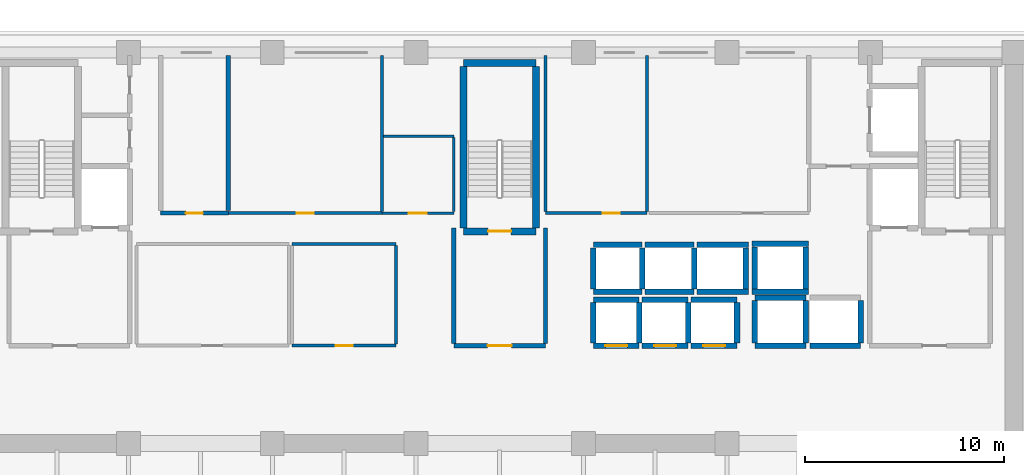
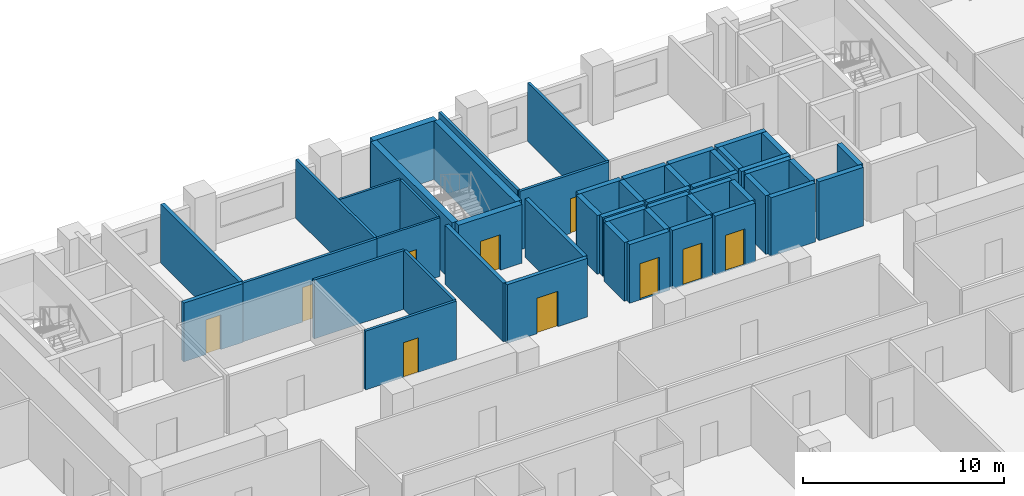
# One storey, part 7 of 15: 50 walls, 10 doors, 10 openings.
"""IFC4 building model written with IfcOpenShell, lengths in metres."""

import ifcopenshell
import ifcopenshell.guid

model = None  # the IFC model being written
_history = None  # IfcOwnerHistory: only IFC2X3 demands one
_inside = {}  # id of a spatial element -> (the spatial element, [elements in it])
_under = {}  # id of a project, library or spatial element -> (it, [spatial elements below it])
_declared = {}  # id of a project -> (the project, [libraries it declares])
_typed = {}  # id of a type object -> (the type object, [elements of that type])
_made_of = {}  # id of a material, layer set ... -> (it, [elements and type objects made of it])


def new_model(schema):
    """Start an empty IFC model of exactly this schema.

    Asked for "IFC4X3", IfcOpenShell would pick the latest addendum, in which some entities
    have other attributes; the version numbers below select the first issue.
    IFC2X3 requires an IfcOwnerHistory on every rooted entity: one is made here for all.
    """
    global model, _history
    if schema == "IFC4X3":
        model = ifcopenshell.file(schema_version=(4, 3, 0, 0))
    else:
        model = ifcopenshell.file(schema=schema)
    _inside.clear()
    _under.clear()
    _declared.clear()
    _typed.clear()
    _made_of.clear()
    _history = None
    if model.schema == "IFC2X3":
        org = make("IfcOrganization", Name="unknown")
        user = make(
            "IfcPersonAndOrganization",
            ThePerson=make("IfcPerson", FamilyName="unknown"),
            TheOrganization=org,
        )
        app = make(
            "IfcApplication",
            ApplicationDeveloper=org,
            Version="unknown",
            ApplicationFullName="unknown",
            ApplicationIdentifier="unknown",
        )
        _history = make(
            "IfcOwnerHistory",
            OwningUser=user,
            OwningApplication=app,
            ChangeAction="ADDED",
            CreationDate=0,
        )
    return model


def make(cls, **values):
    """One entity of the class cls with the attributes given. An attribute that is None is left unset."""
    return model.create_entity(
        cls, **{name: value for name, value in values.items() if value is not None}
    )


def rooted(cls, **values):
    """An entity with a GlobalId (a new one), such as an element, a storey or a relation."""
    return make(cls, GlobalId=ifcopenshell.guid.new(), OwnerHistory=_history, **values)


def si_unit(unit_type, name, prefix=None):
    """IfcSIUnit, for example si_unit("LENGTHUNIT", "METRE", prefix="MILLI")."""
    return make("IfcSIUnit", UnitType=unit_type, Prefix=prefix, Name=name)


def assignment(units):
    """IfcUnitAssignment: the units of a project."""
    return None if units is None else make("IfcUnitAssignment", Units=units)


def point(xyz):
    """IfcCartesianPoint."""
    return None if xyz is None else make("IfcCartesianPoint", Coordinates=xyz)


def direction(xyz):
    """IfcDirection."""
    return None if xyz is None else make("IfcDirection", DirectionRatios=xyz)


def frame(location, z_axis=None, x_axis=None):
    """IfcAxis2Placement3D, a coordinate frame: its origin and axes. An axis left out is left unset."""
    return make(
        "IfcAxis2Placement3D",
        Location=point(location),
        Axis=direction(z_axis),
        RefDirection=direction(x_axis),
    )


def frame_2d(location, x_axis=None):
    """IfcAxis2Placement2D, a coordinate frame in the plane: its origin and x axis."""
    return make(
        "IfcAxis2Placement2D", Location=point(location), RefDirection=direction(x_axis)
    )


def origin():
    """The frame at (0, 0, 0) with its axes left unset."""
    return frame((0.0, 0.0, 0.0))


def place(relative_to, where):
    """IfcLocalPlacement: puts the frame where relative to a parent placement (None: the world)."""
    return make(
        "IfcLocalPlacement", PlacementRelTo=relative_to, RelativePlacement=where
    )


def context(
    kind, dimensions, precision=None, world=None, true_north=None, identifier=None
):
    """IfcGeometricRepresentationContext, for example the 3D "Model" context."""
    return make(
        "IfcGeometricRepresentationContext",
        ContextIdentifier=identifier,
        ContextType=kind,
        CoordinateSpaceDimension=dimensions,
        Precision=precision,
        WorldCoordinateSystem=world,
        TrueNorth=true_north,
    )


def subcontext(parent, identifier, kind, view, scale=None):
    """IfcGeometricRepresentationSubContext, for example "Body" below "Model"."""
    return make(
        "IfcGeometricRepresentationSubContext",
        ContextIdentifier=identifier,
        ContextType=kind,
        ParentContext=parent,
        TargetScale=scale,
        TargetView=view,
    )


def project(units=None, contexts=None):
    """IfcProject with its units and contexts."""
    return rooted(
        "IfcProject",
        Name="project",
        RepresentationContexts=contexts,
        UnitsInContext=assignment(units),
    )


def spatial(cls, under=None, at=None, **own):
    """A site, building, storey or space (cls), placed at a placement, below another one or the project."""
    s = rooted(cls, ObjectPlacement=at, **own)
    if under is not None:
        _under.setdefault(under.id(), (under, []))[1].append(s)
    return s


def profile(cls, at=None, kind="AREA", **sizes):
    """A parametric profile (cls). Its sizes go by their IFC names, for example OverallWidth=200.0."""
    return make(cls, ProfileType=kind, Position=at, **sizes)


def rectangle(**sizes):
    """IfcRectangleProfileDef."""
    return profile("IfcRectangleProfileDef", **sizes)


def extrude(swept, where, along, depth):
    """IfcExtrudedAreaSolid: the profile swept, set in the frame where, extruded along a direction by depth."""
    return make(
        "IfcExtrudedAreaSolid",
        SweptArea=swept,
        Position=where,
        ExtrudedDirection=direction(along),
        Depth=depth,
    )


def shape(context_of_items, identifier, shape_type, items):
    """IfcShapeRepresentation: the items that make up one representation, for example the "Body"."""
    return make(
        "IfcShapeRepresentation",
        ContextOfItems=context_of_items,
        RepresentationIdentifier=identifier,
        RepresentationType=shape_type,
        Items=items,
    )


def material(Name=None, Category=None):
    """IfcMaterial."""
    return make("IfcMaterial", Name=Name, Category=Category)


def layer(
    of_material, thickness, ventilated=None, Name=None, Category=None, Priority=None
):
    """IfcMaterialLayer: one layer of a wall or slab, of a material (None: an air gap)."""
    return make(
        "IfcMaterialLayer",
        Material=of_material,
        LayerThickness=thickness,
        IsVentilated=ventilated,
        Name=Name,
        Category=Category,
        Priority=Priority,
    )


def layer_set(layers, Name=None):
    """IfcMaterialLayerSet."""
    return make("IfcMaterialLayerSet", MaterialLayers=layers, LayerSetName=Name)


def made_of(thing, what):
    """Note that an element or type object is made of a material, layer set ...; save() writes the relation."""
    if what is not None:
        _made_of.setdefault(what.id(), (what, []))[1].append(thing)
    return thing


def type_object(cls, material=None, **own):
    """A type object (cls), such as IfcWallType, which elements share."""
    return made_of(rooted(cls, **own), material)


def element(
    cls,
    number,
    at=None,
    inside=None,
    cuts=None,
    type_object=None,
    material=None,
    context=None,
    identifier="Body",
    shape_type=None,
    held_by="IfcProductDefinitionShape",
    body=None,
    shapes=None,
    **own,
):
    """One element of the class cls, such as IfcWall. Its Tag is "e" and its number.

    at: its placement. inside: the storey or other place that contains it. cuts: it is an
    opening in that element (IfcRelVoidsElement). A single representation is given by context,
    identifier, shape_type and body (its items); several are given by shapes. held_by: the class
    of the entity that holds the representations. save() writes the other relations.
    """
    e = rooted(cls, Tag="e%d" % number, ObjectPlacement=at, **own)
    if body is not None:
        shapes = [shape(context, identifier, shape_type, body)]
    if shapes is not None:
        e.Representation = make(held_by, Representations=shapes)
    if inside is not None:
        _inside.setdefault(inside.id(), (inside, []))[1].append(e)
    if cuts is not None:
        rooted(
            "IfcRelVoidsElement", RelatingBuildingElement=cuts, RelatedOpeningElement=e
        )
    if type_object is not None:
        _typed.setdefault(type_object.id(), (type_object, []))[1].append(e)
    return made_of(e, material)


def fill(opening, filler):
    """IfcRelFillsElement: the door or window that sits in an opening."""
    return rooted(
        "IfcRelFillsElement",
        RelatingOpeningElement=opening,
        RelatedBuildingElement=filler,
    )


def aggregate(whole, parts):
    """IfcRelAggregates: a whole, such as a stair, and the parts it consists of."""
    return rooted("IfcRelAggregates", RelatingObject=whole, RelatedObjects=parts)


def save(model, path):
    """Write the relations noted so far, then the file.

    IfcRelAggregates (storeys below a building ...), IfcRelContainedInSpatialStructure (elements
    in a storey), IfcRelDefinesByType, IfcRelAssociatesMaterial and IfcRelDeclares: one each for
    every whole, place, type object, material and project.
    """
    for whole, parts in _under.values():
        aggregate(whole, parts)
    for where, things in _inside.values():
        rooted(
            "IfcRelContainedInSpatialStructure",
            RelatedElements=things,
            RelatingStructure=where,
        )
    for kind, things in _typed.values():
        rooted("IfcRelDefinesByType", RelatedObjects=things, RelatingType=kind)
    for what, things in _made_of.values():
        rooted("IfcRelAssociatesMaterial", RelatedObjects=things, RelatingMaterial=what)
    for by, libraries in _declared.values():
        rooted("IfcRelDeclares", RelatingContext=by, RelatedDefinitions=libraries)
    model.write(path)


model = new_model("IFC4")

# Units and contexts
model_context = context("Model", 3, precision=1e-05, world=origin(), true_north=direction((0.0, 1.0)))
body_context = subcontext(model_context, "Body", "Model", "MODEL_VIEW")
ifc_project = project(units=[si_unit("LENGTHUNIT", "METRE"), si_unit("AREAUNIT", "SQUARE_METRE"), si_unit("VOLUMEUNIT", "CUBIC_METRE"), si_unit("PLANEANGLEUNIT", "RADIAN"), si_unit("MASSUNIT", "GRAM", prefix="KILO")], contexts=[model_context])

# Site, building, storey
site_placement = place(None, origin())
site = spatial("IfcSite", under=ifc_project, at=site_placement, CompositionType="ELEMENT")
building_placement = place(site_placement, origin())
building = spatial("IfcBuilding", under=site, at=building_placement, Name="Kaelvorn Grand Hotel", CompositionType="ELEMENT")
storey_placement = place(building_placement, frame((0.0, 0.0, 173.35009765625)))
storey = spatial("IfcBuildingStorey", under=building, at=storey_placement, Name="L42", CompositionType="ELEMENT", Elevation=173.35009765625)

# Wall, opening, door
ifc_material_1 = material(Name="Moisture-Resistant Tile & Stud Board")
ifc_layer_1 = layer(ifc_material_1, 0.125)
ifc_layer_set_1 = layer_set([ifc_layer_1], Name="Moisture-Resistant Tile & Stud Board")
wall_type_1 = type_object("IfcWallType", Name="WL-PART-125-WET", PredefinedType="PARTITIONING", material=ifc_layer_set_1)
wall_1_placement = place(storey_placement, frame((36.110107421875, 40.949951171875, 0.0), z_axis=(0.0, 0.0, 1.0), x_axis=(1.0, 0.0, 0.0)))
wall_1 = element("IfcWall", 1, at=wall_1_placement, inside=storey, type_object=wall_type_1, Name="L42 Accessible WC S Partition", PredefinedType="PARTITIONING", context=body_context, shape_type="SweptSolid", body=[
    extrude(rectangle(XDim=3.58984375, YDim=0.125, at=frame_2d((1.794921875, 0.0))), origin(), (0.0, 0.0, 1.0), 3.559814453125),
])
opening_1_placement = place(wall_1_placement, frame((1.340087890625, 0.0, 0.0)))
opening_1 = element("IfcOpeningElement", 2, at=opening_1_placement, cuts=wall_1, Name="Opening DI4", PredefinedType="OPENING", context=body_context, shape_type="SweptSolid", body=[
    extrude(rectangle(XDim=0.89990234375, YDim=2.10009765625, at=frame_2d((0.449951171875, 1.050048828125))), frame((0.0, 0.072509765625, 0.0), z_axis=(0.0, -1.0, 0.0), x_axis=(1.0, 0.0, 0.0)), (0.0, 0.0, 1.0), 0.14501953125),
])
ifc_material_2 = material(Name="Timber Veneer Leaf", Category="wood")
door_type_1 = type_object("IfcDoorType", Name="DR-INT-BATH-900x2100", OperationType="NOTDEFINED", PredefinedType="DOOR", material=ifc_material_2)
door_1_placement = place(opening_1_placement, origin())
door_1 = element("IfcDoor", 3, at=door_1_placement, inside=storey, type_object=door_type_1, Name="L42 Accessible WC Door", OperationType="SINGLE_SWING_RIGHT", OverallHeight=2.10009765625, OverallWidth=0.89990234375, PredefinedType="DOOR", context=body_context, shape_type="SweptSolid", body=[
    extrude(rectangle(XDim=0.89990234375, YDim=2.10009765625, at=frame_2d((0.449951171875, 1.050048828125))), frame((0.0, 0.02490234375, 0.0), z_axis=(0.0, -1.0, 0.0), x_axis=(1.0, 0.0, 0.0)), (0.0, 0.0, 1.0), 0.050048828125),
])
fill(opening_1, door_1)

# Walls
wall_2_placement = place(storey_placement, frame((36.179931640625, 44.800048828125, 0.0), z_axis=(0.0, 0.0, 1.0), x_axis=(1.0, 0.0, 0.0)))
element("IfcWall", 4, at=wall_2_placement, inside=storey, type_object=wall_type_1, Name="L42 Accessible WC N Partition", PredefinedType="PARTITIONING", context=body_context, shape_type="SweptSolid", body=[
    extrude(rectangle(XDim=3.52001953125, YDim=0.125, at=frame_2d((1.760009765625, 0.0))), origin(), (0.0, 0.0, 1.0), 3.559814453125),
])
wall_3_placement = place(storey_placement, frame((39.699951171875, 41.017578125, 0.0), z_axis=(0.0, 0.0, 1.0), x_axis=(0.0, 1.0, 0.0)))
element("IfcWall", 5, at=wall_3_placement, inside=storey, type_object=wall_type_1, Name="L42 Accessible WC E Partition", PredefinedType="PARTITIONING", context=body_context, shape_type="SweptSolid", body=[
    extrude(rectangle(XDim=3.71484375, YDim=0.125, at=frame_2d((1.857421875, 0.0))), origin(), (0.0, 0.0, 1.0), 3.559814453125),
])

# Wall, opening, door
ifc_material_3 = material(Name="Acoustic Gypsum & Stud Partition")
ifc_layer_2 = layer(ifc_material_3, 0.14990234375)
ifc_layer_set_2 = layer_set([ifc_layer_2], Name="Acoustic Gypsum & Stud Partition")
wall_type_2 = type_object("IfcWallType", Name="WL-PART-150-EI60", PredefinedType="PARTITIONING", material=ifc_layer_set_2)
wall_4_placement = place(storey_placement, frame((31.60009765625, 34.300048828125, 0.0), z_axis=(0.0, 0.0, 1.0), x_axis=(1.0, 0.0, 0.0)))
wall_4 = element("IfcWall", 6, at=wall_4_placement, inside=storey, type_object=wall_type_2, Name="L42 Core Telecoms & BMS Server Room S Partition", PredefinedType="PARTITIONING", context=body_context, shape_type="SweptSolid", body=[
    extrude(rectangle(XDim=5.199951171875, YDim=0.14990234375, at=frame_2d((2.60009765625, 0.0))), origin(), (0.0, 0.0, 1.0), 3.559814453125),
])
opening_2_placement = place(wall_4_placement, frame((2.175048828125, 0.0, 0.0)))
opening_2 = element("IfcOpeningElement", 7, at=opening_2_placement, cuts=wall_4, Name="Opening DI7", PredefinedType="OPENING", context=body_context, shape_type="SweptSolid", body=[
    extrude(rectangle(XDim=0.85009765625, YDim=2.10009765625, at=frame_2d((0.425048828125, 1.050048828125))), frame((0.0, 0.0849609375, 0.0), z_axis=(0.0, -1.0, 0.0), x_axis=(1.0, 0.0, 0.0)), (0.0, 0.0, 1.0), 0.169921875),
])
ifc_material_4 = material(Name="Powder-Coated Steel Leaf", Category="steel")
door_type_2 = type_object("IfcDoorType", Name="DR-INT-RISER-850x2100", OperationType="NOTDEFINED", PredefinedType="DOOR", material=ifc_material_4)
door_2_placement = place(opening_2_placement, origin())
door_2 = element("IfcDoor", 8, at=door_2_placement, inside=storey, type_object=door_type_2, Name="L42 Core Telecoms & BMS Server Room Door", OperationType="SINGLE_SWING_RIGHT", OverallHeight=2.10009765625, OverallWidth=0.85009765625, PredefinedType="DOOR", context=body_context, shape_type="SweptSolid", body=[
    extrude(rectangle(XDim=0.85009765625, YDim=2.10009765625, at=frame_2d((0.425048828125, 1.050048828125))), frame((0.0, 0.02490234375, 0.0), z_axis=(0.0, -1.0, 0.0), x_axis=(1.0, 0.0, 0.0)), (0.0, 0.0, 1.0), 0.050048828125),
])
fill(opening_2, door_2)

# Walls
wall_5_placement = place(storey_placement, frame((31.60009765625, 39.39990234375, 0.0), z_axis=(0.0, 0.0, 1.0), x_axis=(1.0, 0.0, 0.0)))
element("IfcWall", 9, at=wall_5_placement, inside=storey, type_object=wall_type_2, Name="L42 Core Telecoms & BMS Server Room N Partition", PredefinedType="PARTITIONING", context=body_context, shape_type="SweptSolid", body=[
    extrude(rectangle(XDim=5.199951171875, YDim=0.14990234375, at=frame_2d((2.60009765625, 0.0))), origin(), (0.0, 0.0, 1.0), 3.559814453125),
])
wall_6_placement = place(storey_placement, frame((36.800048828125, 34.3798828125, 0.0), z_axis=(0.0, 0.0, 1.0), x_axis=(0.0, 1.0, 0.0)))
element("IfcWall", 10, at=wall_6_placement, inside=storey, type_object=wall_type_2, Name="L42 Core Telecoms & BMS Server Room E Partition", PredefinedType="PARTITIONING", context=body_context, shape_type="SweptSolid", body=[
    extrude(rectangle(XDim=4.940185546875, YDim=0.14990234375, at=frame_2d((2.47021484375, 0.0))), origin(), (0.0, 0.0, 1.0), 3.559814453125),
])

# Wall, opening, door
wall_7_placement = place(storey_placement, frame((28.409912109375, 40.949951171875, 0.0), z_axis=(0.0, 0.0, 1.0), x_axis=(1.0, 0.0, 0.0)))
wall_7 = element("IfcWall", 11, at=wall_7_placement, inside=storey, type_object=wall_type_2, Name="L42 Housekeeping & Linen Room S Partition", PredefinedType="PARTITIONING", context=body_context, shape_type="SweptSolid", body=[
    extrude(rectangle(XDim=7.690185546875, YDim=0.14990234375, at=frame_2d((3.84521484375, 0.0))), origin(), (0.0, 0.0, 1.0), 3.559814453125),
])
opening_3_placement = place(wall_7_placement, frame((3.4150390625, 0.0, 0.0)))
opening_3 = element("IfcOpeningElement", 12, at=opening_3_placement, cuts=wall_7, Name="Opening DI7", PredefinedType="OPENING", context=body_context, shape_type="SweptSolid", body=[
    extrude(rectangle(XDim=0.85009765625, YDim=2.10009765625, at=frame_2d((0.425048828125, 1.050048828125))), frame((0.0, 0.0849609375, 0.0), z_axis=(0.0, -1.0, 0.0), x_axis=(1.0, 0.0, 0.0)), (0.0, 0.0, 1.0), 0.169921875),
])
door_3_placement = place(opening_3_placement, origin())
door_3 = element("IfcDoor", 13, at=door_3_placement, inside=storey, type_object=door_type_2, Name="L42 Housekeeping & Linen Room Door", OperationType="SINGLE_SWING_LEFT", OverallHeight=2.10009765625, OverallWidth=0.85009765625, PredefinedType="DOOR", context=body_context, shape_type="SweptSolid", body=[
    extrude(rectangle(XDim=0.85009765625, YDim=2.10009765625, at=frame_2d((0.425048828125, 1.050048828125))), frame((0.0, 0.02490234375, 0.0), z_axis=(0.0, -1.0, 0.0), x_axis=(1.0, 0.0, 0.0)), (0.0, 0.0, 1.0), 0.050048828125),
])
fill(opening_3, door_3)

# Wall
wall_8_placement = place(storey_placement, frame((36.10009765625, 41.030029296875, 0.0), z_axis=(0.0, 0.0, 1.0), x_axis=(0.0, 1.0, 0.0)))
element("IfcWall", 14, at=wall_8_placement, inside=storey, type_object=wall_type_2, Name="L42 Housekeeping & Linen Room E Partition", PredefinedType="PARTITIONING", context=body_context, shape_type="SweptSolid", body=[
    extrude(rectangle(XDim=7.820068359375, YDim=0.14990234375, at=frame_2d((3.91015625, 0.0))), origin(), (0.0, 0.0, 1.0), 3.559814453125),
])

# Wall, opening, door
wall_9_placement = place(storey_placement, frame((44.300048828125, 40.949951171875, 0.0), z_axis=(0.0, 0.0, 1.0), x_axis=(1.0, 0.0, 0.0)))
wall_9 = element("IfcWall", 15, at=wall_9_placement, inside=storey, type_object=wall_type_2, Name="L42 Laundry Chute Vestibule S Partition", PredefinedType="PARTITIONING", context=body_context, shape_type="SweptSolid", body=[
    extrude(rectangle(XDim=5.099853515625, YDim=0.14990234375, at=frame_2d((2.5498046875, 0.0))), origin(), (0.0, 0.0, 1.0), 3.559814453125),
])
opening_4_placement = place(wall_9_placement, frame((2.875, 0.0, 0.0)))
opening_4 = element("IfcOpeningElement", 16, at=opening_4_placement, cuts=wall_9, Name="Opening DI7", PredefinedType="OPENING", context=body_context, shape_type="SweptSolid", body=[
    extrude(rectangle(XDim=0.85009765625, YDim=2.10009765625, at=frame_2d((0.425048828125, 1.050048828125))), frame((0.0, 0.0849609375, 0.0), z_axis=(0.0, -1.0, 0.0), x_axis=(1.0, 0.0, 0.0)), (0.0, 0.0, 1.0), 0.169921875),
])
door_4_placement = place(opening_4_placement, origin())
door_4 = element("IfcDoor", 17, at=door_4_placement, inside=storey, type_object=door_type_2, Name="L42 Laundry Chute Vestibule Door", OperationType="SINGLE_SWING_LEFT", OverallHeight=2.10009765625, OverallWidth=0.85009765625, PredefinedType="DOOR", context=body_context, shape_type="SweptSolid", body=[
    extrude(rectangle(XDim=0.85009765625, YDim=2.10009765625, at=frame_2d((0.425048828125, 1.050048828125))), frame((0.0, 0.02490234375, 0.0), z_axis=(0.0, -1.0, 0.0), x_axis=(1.0, 0.0, 0.0)), (0.0, 0.0, 1.0), 0.050048828125),
])
fill(opening_4, door_4)

# Walls
for number, where, z_axis, x_axis, name in (
    (18, (44.300048828125, 41.030029296875, 0.0), (0.0, 0.0, 1.0), (0.0, 1.0, 0.0), "L42 Laundry Chute Vestibule W Partition"),
    (19, (49.39990234375, 41.030029296875, 0.0), (0.0, 0.0, 1.0), (0.0, 1.0, 0.0), "L42 Laundry Chute Vestibule E Partition"),
):
    element("IfcWall", number, at=place(storey_placement, frame(where, z_axis=z_axis, x_axis=x_axis)), inside=storey, type_object=wall_type_2, Name=name, PredefinedType="PARTITIONING", context=body_context, shape_type="SweptSolid", body=[
        extrude(rectangle(XDim=7.820068359375, YDim=0.14990234375, at=frame_2d((3.91015625, 0.0))), origin(), (0.0, 0.0, 1.0), 3.559814453125),
    ])

# Wall, opening, door
ifc_material_5 = material(Name="Concrete C40/50", Category="concrete")
ifc_layer_3 = layer(ifc_material_5, 0.219970703125)
ifc_layer_set_3 = layer_set([ifc_layer_3], Name="Concrete C40/50")
wall_type_3 = type_object("IfcWallType", Name="WL-PART-220-EI120", PredefinedType="PARTITIONING", material=ifc_layer_set_3)
wall_10_placement = place(storey_placement, frame((39.699951171875, 34.300048828125, 0.0), z_axis=(0.0, 0.0, 1.0), x_axis=(1.0, 0.0, 0.0)))
wall_10 = element("IfcWall", 20, at=wall_10_placement, inside=storey, type_object=wall_type_3, Name="L42 Central Stair Escape Vestibule S Partition", PredefinedType="PARTITIONING", context=body_context, shape_type="SweptSolid", body=[
    extrude(rectangle(XDim=4.60009765625, YDim=0.219970703125, at=frame_2d((2.300048828125, 0.0))), origin(), (0.0, 0.0, 1.0), 3.559814453125),
])
opening_5_placement = place(wall_10_placement, frame((1.699951171875, 0.0, 0.0)))
opening_5 = element("IfcOpeningElement", 21, at=opening_5_placement, cuts=wall_10, Name="Opening DI2", PredefinedType="OPENING", context=body_context, shape_type="SweptSolid", body=[
    extrude(rectangle(XDim=1.199951171875, YDim=2.14990234375, at=frame_2d((0.60009765625, 1.074951171875))), frame((0.0, 0.1201171875, 0.0), z_axis=(0.0, -1.0, 0.0), x_axis=(1.0, 0.0, 0.0)), (0.0, 0.0, 1.0), 0.239990234375),
])
ifc_material_6 = material(Name="Timber Veneer Fire Leaf", Category="wood")
door_type_3 = type_object("IfcDoorType", Name="DR-INT-FFLOB-1200x2150", OperationType="NOTDEFINED", PredefinedType="DOOR", material=ifc_material_6)
door_5_placement = place(opening_5_placement, origin())
door_5 = element("IfcDoor", 22, at=door_5_placement, inside=storey, type_object=door_type_3, Name="L42 Central Stair Escape Vestibule Door", OperationType="SINGLE_SWING_RIGHT", OverallHeight=2.14990234375, OverallWidth=1.199951171875, PredefinedType="DOOR", context=body_context, shape_type="SweptSolid", body=[
    extrude(rectangle(XDim=1.199951171875, YDim=2.14990234375, at=frame_2d((0.60009765625, 1.074951171875))), frame((0.0, 0.02490234375, 0.0), z_axis=(0.0, -1.0, 0.0), x_axis=(1.0, 0.0, 0.0)), (0.0, 0.0, 1.0), 0.050048828125),
])
fill(opening_5, door_5)

# Walls
for number, where, z_axis, x_axis, name in (
    (23, (39.699951171875, 34.4150390625, 0.0), (0.0, 0.0, 1.0), (0.0, 1.0, 0.0), "L42 Central Stair Escape Vestibule W Partition"),
    (24, (44.300048828125, 34.4150390625, 0.0), (0.0, 0.0, 1.0), (0.0, 1.0, 0.0), "L42 Central Stair Escape Vestibule E Partition"),
):
    element("IfcWall", number, at=place(storey_placement, frame(where, z_axis=z_axis, x_axis=x_axis)), inside=storey, type_object=wall_type_3, Name=name, PredefinedType="PARTITIONING", context=body_context, shape_type="SweptSolid", body=[
        extrude(rectangle(XDim=5.784912109375, YDim=0.219970703125, at=frame_2d((2.892578125, 0.0))), origin(), (0.0, 0.0, 1.0), 3.559814453125),
    ])

# Wall, opening, door
wall_11_placement = place(storey_placement, frame((25.0, 40.949951171875, 0.0), z_axis=(0.0, 0.0, 1.0), x_axis=(1.0, 0.0, 0.0)))
wall_11 = element("IfcWall", 25, at=wall_11_placement, inside=storey, type_object=wall_type_3, Name="L42 Electrical Distribution Room S Partition", PredefinedType="PARTITIONING", context=body_context, shape_type="SweptSolid", body=[
    extrude(rectangle(XDim=3.39990234375, YDim=0.219970703125, at=frame_2d((1.699951171875, 0.0))), origin(), (0.0, 0.0, 1.0), 3.559814453125),
])
opening_6_placement = place(wall_11_placement, frame((1.27490234375, 0.0, 0.0)))
opening_6 = element("IfcOpeningElement", 26, at=opening_6_placement, cuts=wall_11, Name="Opening DI7", PredefinedType="OPENING", context=body_context, shape_type="SweptSolid", body=[
    extrude(rectangle(XDim=0.85009765625, YDim=2.10009765625, at=frame_2d((0.425048828125, 1.050048828125))), frame((0.0, 0.1201171875, 0.0), z_axis=(0.0, -1.0, 0.0), x_axis=(1.0, 0.0, 0.0)), (0.0, 0.0, 1.0), 0.239990234375),
])
door_6_placement = place(opening_6_placement, origin())
door_6 = element("IfcDoor", 27, at=door_6_placement, inside=storey, type_object=door_type_2, Name="L42 Electrical Distribution Room Door", OperationType="SINGLE_SWING_RIGHT", OverallHeight=2.10009765625, OverallWidth=0.85009765625, PredefinedType="DOOR", context=body_context, shape_type="SweptSolid", body=[
    extrude(rectangle(XDim=0.85009765625, YDim=2.10009765625, at=frame_2d((0.425048828125, 1.050048828125))), frame((0.0, 0.02490234375, 0.0), z_axis=(0.0, -1.0, 0.0), x_axis=(1.0, 0.0, 0.0)), (0.0, 0.0, 1.0), 0.050048828125),
])
fill(opening_6, door_6)

# Wall
wall_12_placement = place(storey_placement, frame((28.39990234375, 41.06494140625, 0.0), z_axis=(0.0, 0.0, 1.0), x_axis=(0.0, 1.0, 0.0)))
element("IfcWall", 28, at=wall_12_placement, inside=storey, type_object=wall_type_3, Name="L42 Electrical Distribution Room E Partition", PredefinedType="PARTITIONING", context=body_context, shape_type="SweptSolid", body=[
    extrude(rectangle(XDim=7.78515625, YDim=0.219970703125, at=frame_2d((3.892578125, 0.0))), origin(), (0.0, 0.0, 1.0), 3.559814453125),
])

# Wall, opening, door
ifc_material_7 = material(Name="Concrete C50/60", Category="concrete")
ifc_layer_4 = layer(ifc_material_7, 0.280029296875)
ifc_layer_set_4 = layer_set([ifc_layer_4], Name="Concrete C50/60")
wall_type_4 = type_object("IfcWallType", Name="WL-SHAFT-280-C50", PredefinedType="SHEAR", material=ifc_layer_set_4)
wall_13_placement = place(storey_placement, frame((46.699951171875, 34.300048828125, 0.0), z_axis=(0.0, 0.0, 1.0), x_axis=(1.0, 0.0, 0.0)))
wall_13 = element("IfcWall", 29, at=wall_13_placement, inside=storey, type_object=wall_type_4, Name="L42 Lift PL-M1 Shaft South Wall", PredefinedType="SHEAR", context=body_context, shape_type="SweptSolid", body=[
    extrude(rectangle(XDim=2.300048828125, YDim=0.280029296875, at=frame_2d((1.14990234375, 0.0))), origin(), (0.0, 0.0, 1.0), 3.559814453125),
])
opening_7_placement = place(wall_13_placement, frame((0.60009765625, 0.0, 0.0)))
opening_7 = element("IfcOpeningElement", 30, at=opening_7_placement, cuts=wall_13, Name="Opening LD-PL-M1", PredefinedType="OPENING", context=body_context, shape_type="SweptSolid", body=[
    extrude(rectangle(XDim=1.10009765625, YDim=2.199951171875, at=frame_2d((0.550048828125, 1.10009765625))), frame((0.0, 0.14990234375, 0.0), z_axis=(0.0, -1.0, 0.0), x_axis=(1.0, 0.0, 0.0)), (0.0, 0.0, 1.0), 0.300048828125),
])
ifc_material_8 = material(Name="Stainless Steel", Category="steel")
door_type_4 = type_object("IfcDoorType", Name="DR-LIFT-PASS-1100x2200", OperationType="DOUBLE_DOOR_SLIDING", PredefinedType="DOOR", material=ifc_material_8)
door_7_placement = place(opening_7_placement, origin())
door_7 = element("IfcDoor", 31, at=door_7_placement, inside=storey, type_object=door_type_4, Name="L42 Lift PL-M1 Sliding Landing Door LD-PL-M1", OperationType="DOUBLE_DOOR_SLIDING", OverallHeight=2.199951171875, OverallWidth=1.10009765625, PredefinedType="DOOR", context=body_context, shape_type="SweptSolid", body=[
    extrude(rectangle(XDim=1.10009765625, YDim=2.199951171875, at=frame_2d((0.550048828125, 1.10009765625))), frame((0.0, 0.02490234375, 0.0), z_axis=(0.0, -1.0, 0.0), x_axis=(1.0, 0.0, 0.0)), (0.0, 0.0, 1.0), 0.050048828125),
])
fill(opening_7, door_7)

# Walls
wall_14_placement = place(storey_placement, frame((46.699951171875, 36.60009765625, 0.0), z_axis=(0.0, 0.0, 1.0), x_axis=(1.0, 0.0, 0.0)))
element("IfcWall", 32, at=wall_14_placement, inside=storey, type_object=wall_type_4, Name="L42 Lift PL-M1 Shaft North Wall", PredefinedType="SHEAR", context=body_context, shape_type="SweptSolid", body=[
    extrude(rectangle(XDim=2.300048828125, YDim=0.280029296875, at=frame_2d((1.14990234375, 0.0))), origin(), (0.0, 0.0, 1.0), 3.559814453125),
])
for number, where, z_axis, x_axis, name in (
    (33, (46.699951171875, 34.445068359375, 0.0), (0.0, 0.0, 1.0), (0.0, 1.0, 0.0), "L42 Lift PL-M1 Shaft West Wall"),
    (34, (49.0, 34.445068359375, 0.0), (0.0, 0.0, 1.0), (0.0, 1.0, 0.0), "L42 Lift PL-M1 Shaft East Wall"),
):
    element("IfcWall", number, at=place(storey_placement, frame(where, z_axis=z_axis, x_axis=x_axis)), inside=storey, type_object=wall_type_4, Name=name, PredefinedType="SHEAR", context=body_context, shape_type="SweptSolid", body=[
        extrude(rectangle(XDim=2.010009765625, YDim=0.280029296875, at=frame_2d((1.0048828125, 0.0))), origin(), (0.0, 0.0, 1.0), 3.559814453125),
    ])

# Wall, opening, door
wall_15_placement = place(storey_placement, frame((49.14990234375, 34.300048828125, 0.0), z_axis=(0.0, 0.0, 1.0), x_axis=(1.0, 0.0, 0.0)))
wall_15 = element("IfcWall", 35, at=wall_15_placement, inside=storey, type_object=wall_type_4, Name="L42 Lift PL-M2 Shaft South Wall", PredefinedType="SHEAR", context=body_context, shape_type="SweptSolid", body=[
    extrude(rectangle(XDim=2.300048828125, YDim=0.280029296875, at=frame_2d((1.14990234375, 0.0))), origin(), (0.0, 0.0, 1.0), 3.559814453125),
])
opening_8_placement = place(wall_15_placement, frame((0.60009765625, 0.0, 0.0)))
opening_8 = element("IfcOpeningElement", 36, at=opening_8_placement, cuts=wall_15, Name="Opening LD-PL-M2", PredefinedType="OPENING", context=body_context, shape_type="SweptSolid", body=[
    extrude(rectangle(XDim=1.10009765625, YDim=2.199951171875, at=frame_2d((0.550048828125, 1.10009765625))), frame((0.0, 0.14990234375, 0.0), z_axis=(0.0, -1.0, 0.0), x_axis=(1.0, 0.0, 0.0)), (0.0, 0.0, 1.0), 0.300048828125),
])
door_8_placement = place(opening_8_placement, origin())
door_8 = element("IfcDoor", 37, at=door_8_placement, inside=storey, type_object=door_type_4, Name="L42 Lift PL-M2 Sliding Landing Door LD-PL-M2", OperationType="DOUBLE_DOOR_SLIDING", OverallHeight=2.199951171875, OverallWidth=1.10009765625, PredefinedType="DOOR", context=body_context, shape_type="SweptSolid", body=[
    extrude(rectangle(XDim=1.10009765625, YDim=2.199951171875, at=frame_2d((0.550048828125, 1.10009765625))), frame((0.0, 0.02490234375, 0.0), z_axis=(0.0, -1.0, 0.0), x_axis=(1.0, 0.0, 0.0)), (0.0, 0.0, 1.0), 0.050048828125),
])
fill(opening_8, door_8)

# Walls
wall_16_placement = place(storey_placement, frame((49.14990234375, 36.60009765625, 0.0), z_axis=(0.0, 0.0, 1.0), x_axis=(1.0, 0.0, 0.0)))
element("IfcWall", 38, at=wall_16_placement, inside=storey, type_object=wall_type_4, Name="L42 Lift PL-M2 Shaft North Wall", PredefinedType="SHEAR", context=body_context, shape_type="SweptSolid", body=[
    extrude(rectangle(XDim=2.300048828125, YDim=0.280029296875, at=frame_2d((1.14990234375, 0.0))), origin(), (0.0, 0.0, 1.0), 3.559814453125),
])
wall_17_placement = place(storey_placement, frame((51.449951171875, 34.445068359375, 0.0), z_axis=(0.0, 0.0, 1.0), x_axis=(0.0, 1.0, 0.0)))
element("IfcWall", 39, at=wall_17_placement, inside=storey, type_object=wall_type_4, Name="L42 Lift PL-M2 Shaft East Wall", PredefinedType="SHEAR", context=body_context, shape_type="SweptSolid", body=[
    extrude(rectangle(XDim=2.010009765625, YDim=0.280029296875, at=frame_2d((1.0048828125, 0.0))), origin(), (0.0, 0.0, 1.0), 3.559814453125),
])

# Wall, opening, door
wall_18_placement = place(storey_placement, frame((51.60009765625, 34.300048828125, 0.0), z_axis=(0.0, 0.0, 1.0), x_axis=(1.0, 0.0, 0.0)))
wall_18 = element("IfcWall", 40, at=wall_18_placement, inside=storey, type_object=wall_type_4, Name="L42 Lift PL-M3 Shaft South Wall", PredefinedType="SHEAR", context=body_context, shape_type="SweptSolid", body=[
    extrude(rectangle(XDim=2.2998046875, YDim=0.280029296875, at=frame_2d((1.14990234375, 0.0))), origin(), (0.0, 0.0, 1.0), 3.559814453125),
])
opening_9_placement = place(wall_18_placement, frame((0.60009765625, 0.0, 0.0)))
opening_9 = element("IfcOpeningElement", 41, at=opening_9_placement, cuts=wall_18, Name="Opening LD-PL-M3", PredefinedType="OPENING", context=body_context, shape_type="SweptSolid", body=[
    extrude(rectangle(XDim=1.10009765625, YDim=2.199951171875, at=frame_2d((0.550048828125, 1.10009765625))), frame((0.0, 0.14990234375, 0.0), z_axis=(0.0, -1.0, 0.0), x_axis=(1.0, 0.0, 0.0)), (0.0, 0.0, 1.0), 0.300048828125),
])
door_9_placement = place(opening_9_placement, origin())
door_9 = element("IfcDoor", 42, at=door_9_placement, inside=storey, type_object=door_type_4, Name="L42 Lift PL-M3 Sliding Landing Door LD-PL-M3", OperationType="DOUBLE_DOOR_SLIDING", OverallHeight=2.199951171875, OverallWidth=1.10009765625, PredefinedType="DOOR", context=body_context, shape_type="SweptSolid", body=[
    extrude(rectangle(XDim=1.10009765625, YDim=2.199951171875, at=frame_2d((0.550048828125, 1.10009765625))), frame((0.0, 0.02490234375, 0.0), z_axis=(0.0, -1.0, 0.0), x_axis=(1.0, 0.0, 0.0)), (0.0, 0.0, 1.0), 0.050048828125),
])
fill(opening_9, door_9)

# Walls
wall_19_placement = place(storey_placement, frame((51.60009765625, 36.60009765625, 0.0), z_axis=(0.0, 0.0, 1.0), x_axis=(1.0, 0.0, 0.0)))
element("IfcWall", 43, at=wall_19_placement, inside=storey, type_object=wall_type_4, Name="L42 Lift PL-M3 Shaft North Wall", PredefinedType="SHEAR", context=body_context, shape_type="SweptSolid", body=[
    extrude(rectangle(XDim=2.2998046875, YDim=0.280029296875, at=frame_2d((1.14990234375, 0.0))), origin(), (0.0, 0.0, 1.0), 3.559814453125),
])
wall_20_placement = place(storey_placement, frame((53.89990234375, 34.445068359375, 0.0), z_axis=(0.0, 0.0, 1.0), x_axis=(0.0, 1.0, 0.0)))
element("IfcWall", 44, at=wall_20_placement, inside=storey, type_object=wall_type_4, Name="L42 Lift PL-M3 Shaft East Wall", PredefinedType="SHEAR", context=body_context, shape_type="SweptSolid", body=[
    extrude(rectangle(XDim=2.010009765625, YDim=0.280029296875, at=frame_2d((1.0048828125, 0.0))), origin(), (0.0, 0.0, 1.0), 3.559814453125),
])
for number, where, z_axis, x_axis, name in (
    (45, (46.699951171875, 37.0, 0.0), (0.0, 0.0, 1.0), (1.0, 0.0, 0.0), "L42 Lift SL-1 Shaft South Wall"),
    (46, (46.699951171875, 39.35009765625, 0.0), (0.0, 0.0, 1.0), (1.0, 0.0, 0.0), "L42 Lift SL-1 Shaft North Wall"),
):
    element("IfcWall", number, at=place(storey_placement, frame(where, z_axis=z_axis, x_axis=x_axis)), inside=storey, type_object=wall_type_4, Name=name, PredefinedType="SHEAR", context=body_context, shape_type="SweptSolid", body=[
        extrude(rectangle(XDim=2.449951171875, YDim=0.280029296875, at=frame_2d((1.22509765625, 0.0))), origin(), (0.0, 0.0, 1.0), 3.559814453125),
    ])
for number, where, z_axis, x_axis, name in (
    (47, (46.699951171875, 37.14501953125, 0.0), (0.0, 0.0, 1.0), (0.0, 1.0, 0.0), "L42 Lift SL-1 Shaft West Wall"),
    (48, (49.14990234375, 37.14501953125, 0.0), (0.0, 0.0, 1.0), (0.0, 1.0, 0.0), "L42 Lift SL-1 Shaft East Wall"),
):
    element("IfcWall", number, at=place(storey_placement, frame(where, z_axis=z_axis, x_axis=x_axis)), inside=storey, type_object=wall_type_4, Name=name, PredefinedType="SHEAR", context=body_context, shape_type="SweptSolid", body=[
        extrude(rectangle(XDim=2.06005859375, YDim=0.280029296875, at=frame_2d((1.030029296875, 0.0))), origin(), (0.0, 0.0, 1.0), 3.559814453125),
    ])
for number, where, z_axis, x_axis, name in (
    (49, (49.300048828125, 37.0, 0.0), (0.0, 0.0, 1.0), (1.0, 0.0, 0.0), "L42 Lift SL-2 Shaft South Wall"),
    (50, (49.300048828125, 39.35009765625, 0.0), (0.0, 0.0, 1.0), (1.0, 0.0, 0.0), "L42 Lift SL-2 Shaft North Wall"),
):
    element("IfcWall", number, at=place(storey_placement, frame(where, z_axis=z_axis, x_axis=x_axis)), inside=storey, type_object=wall_type_4, Name=name, PredefinedType="SHEAR", context=body_context, shape_type="SweptSolid", body=[
        extrude(rectangle(XDim=2.449951171875, YDim=0.280029296875, at=frame_2d((1.22509765625, 0.0))), origin(), (0.0, 0.0, 1.0), 3.559814453125),
    ])
wall_21_placement = place(storey_placement, frame((51.75, 37.14501953125, 0.0), z_axis=(0.0, 0.0, 1.0), x_axis=(0.0, 1.0, 0.0)))
element("IfcWall", 51, at=wall_21_placement, inside=storey, type_object=wall_type_4, Name="L42 Lift SL-2 Shaft East Wall", PredefinedType="SHEAR", context=body_context, shape_type="SweptSolid", body=[
    extrude(rectangle(XDim=2.06005859375, YDim=0.280029296875, at=frame_2d((1.030029296875, 0.0))), origin(), (0.0, 0.0, 1.0), 3.559814453125),
])
for number, where, z_axis, x_axis, name in (
    (52, (51.89990234375, 37.0, 0.0), (0.0, 0.0, 1.0), (1.0, 0.0, 0.0), "L42 Lift SL-3 Shaft South Wall"),
    (53, (51.89990234375, 39.35009765625, 0.0), (0.0, 0.0, 1.0), (1.0, 0.0, 0.0), "L42 Lift SL-3 Shaft North Wall"),
):
    element("IfcWall", number, at=place(storey_placement, frame(where, z_axis=z_axis, x_axis=x_axis)), inside=storey, type_object=wall_type_4, Name=name, PredefinedType="SHEAR", context=body_context, shape_type="SweptSolid", body=[
        extrude(rectangle(XDim=2.590087890625, YDim=0.280029296875, at=frame_2d((1.294921875, 0.0))), origin(), (0.0, 0.0, 1.0), 3.559814453125),
    ])
wall_22_placement = place(storey_placement, frame((54.35009765625, 37.14501953125, 0.0), z_axis=(0.0, 0.0, 1.0), x_axis=(0.0, 1.0, 0.0)))
element("IfcWall", 54, at=wall_22_placement, inside=storey, type_object=wall_type_4, Name="L42 Lift SL-3 Shaft East Wall", PredefinedType="SHEAR", context=body_context, shape_type="SweptSolid", body=[
    extrude(rectangle(XDim=2.06005859375, YDim=0.280029296875, at=frame_2d((1.030029296875, 0.0))), origin(), (0.0, 0.0, 1.0), 3.559814453125),
])
for number, where, z_axis, x_axis, name in (
    (55, (54.800048828125, 34.300048828125, 0.0), (0.0, 0.0, 1.0), (1.0, 0.0, 0.0), "L42 Lift OL-1 Shaft South Wall"),
    (56, (54.800048828125, 36.699951171875, 0.0), (0.0, 0.0, 1.0), (1.0, 0.0, 0.0), "L42 Lift OL-1 Shaft North Wall"),
):
    element("IfcWall", number, at=place(storey_placement, frame(where, z_axis=z_axis, x_axis=x_axis)), inside=storey, type_object=wall_type_4, Name=name, PredefinedType="SHEAR", context=body_context, shape_type="SweptSolid", body=[
        extrude(rectangle(XDim=2.550048828125, YDim=0.280029296875, at=frame_2d((1.27490234375, 0.0))), origin(), (0.0, 0.0, 1.0), 3.559814453125),
    ])
for number, where, z_axis, x_axis, name in (
    (57, (54.800048828125, 34.445068359375, 0.0), (0.0, 0.0, 1.0), (0.0, 1.0, 0.0), "L42 Lift OL-1 Shaft West Wall"),
    (58, (57.35009765625, 34.445068359375, 0.0), (0.0, 0.0, 1.0), (0.0, 1.0, 0.0), "L42 Lift OL-1 Shaft East Wall"),
):
    element("IfcWall", number, at=place(storey_placement, frame(where, z_axis=z_axis, x_axis=x_axis)), inside=storey, type_object=wall_type_4, Name=name, PredefinedType="SHEAR", context=body_context, shape_type="SweptSolid", body=[
        extrude(rectangle(XDim=2.10986328125, YDim=0.280029296875, at=frame_2d((1.054931640625, 0.0))), origin(), (0.0, 0.0, 1.0), 3.559814453125),
    ])
wall_23_placement = place(storey_placement, frame((57.550048828125, 34.300048828125, 0.0), z_axis=(0.0, 0.0, 1.0), x_axis=(1.0, 0.0, 0.0)))
element("IfcWall", 59, at=wall_23_placement, inside=storey, type_object=wall_type_4, Name="L42 Lift OL-2 Shaft South Wall", PredefinedType="SHEAR", context=body_context, shape_type="SweptSolid", body=[
    extrude(rectangle(XDim=2.550048828125, YDim=0.280029296875, at=frame_2d((1.27490234375, 0.0))), origin(), (0.0, 0.0, 1.0), 3.559814453125),
])
wall_24_placement = place(storey_placement, frame((60.10009765625, 34.445068359375, 0.0), z_axis=(0.0, 0.0, 1.0), x_axis=(0.0, 1.0, 0.0)))
element("IfcWall", 60, at=wall_24_placement, inside=storey, type_object=wall_type_4, Name="L42 Lift OL-2 Shaft East Wall", PredefinedType="SHEAR", context=body_context, shape_type="SweptSolid", body=[
    extrude(rectangle(XDim=2.10986328125, YDim=0.280029296875, at=frame_2d((1.054931640625, 0.0))), origin(), (0.0, 0.0, 1.0), 3.559814453125),
])
for number, where, z_axis, x_axis, name in (
    (61, (54.659912109375, 37.0, 0.0), (0.0, 0.0, 1.0), (1.0, 0.0, 0.0), "L42 Lift OL-3 Shaft South Wall"),
    (62, (54.659912109375, 39.39990234375, 0.0), (0.0, 0.0, 1.0), (1.0, 0.0, 0.0), "L42 Lift OL-3 Shaft North Wall"),
):
    element("IfcWall", number, at=place(storey_placement, frame(where, z_axis=z_axis, x_axis=x_axis)), inside=storey, type_object=wall_type_4, Name=name, PredefinedType="SHEAR", context=body_context, shape_type="SweptSolid", body=[
        extrude(rectangle(XDim=2.830078125, YDim=0.280029296875, at=frame_2d((1.4150390625, 0.0))), origin(), (0.0, 0.0, 1.0), 3.559814453125),
    ])
for number, where, z_axis, x_axis, name in (
    (63, (54.800048828125, 37.14501953125, 0.0), (0.0, 0.0, 1.0), (0.0, 1.0, 0.0), "L42 Lift OL-3 Shaft West Wall"),
    (64, (57.35009765625, 37.14501953125, 0.0), (0.0, 0.0, 1.0), (0.0, 1.0, 0.0), "L42 Lift OL-3 Shaft East Wall"),
):
    element("IfcWall", number, at=place(storey_placement, frame(where, z_axis=z_axis, x_axis=x_axis)), inside=storey, type_object=wall_type_4, Name=name, PredefinedType="SHEAR", context=body_context, shape_type="SweptSolid", body=[
        extrude(rectangle(XDim=2.10986328125, YDim=0.280029296875, at=frame_2d((1.054931640625, 0.0))), origin(), (0.0, 0.0, 1.0), 3.559814453125),
    ])

# Wall, opening, door
ifc_material_9 = material(Name="Concrete C60/75", Category="concrete")
ifc_layer_5 = layer(ifc_material_9, 0.35009765625)
ifc_layer_set_5 = layer_set([ifc_layer_5], Name="Concrete C60/75")
wall_type_5 = type_object("IfcWallType", Name="WL-SHAFT-350-C60", PredefinedType="SHEAR", material=ifc_layer_set_5)
wall_25_placement = place(storey_placement, frame((40.18505859375, 40.02490234375, 0.0), z_axis=(0.0, 0.0, 1.0), x_axis=(1.0, 0.0, 0.0)))
wall_25 = element("IfcWall", 65, at=wall_25_placement, inside=storey, type_object=wall_type_5, Name="L42 ST2 Stair Shaft South Wall", PredefinedType="SHEAR", context=body_context, shape_type="SweptSolid", body=[
    extrude(rectangle(XDim=3.6298828125, YDim=0.35009765625, at=frame_2d((1.81494140625, 0.0))), origin(), (0.0, 0.0, 1.0), 3.559814453125),
])
opening_10_placement = place(wall_25_placement, frame((1.239990234375, 0.0, 0.0)))
opening_10 = element("IfcOpeningElement", 66, at=opening_10_placement, cuts=wall_25, Name="Opening DI1", PredefinedType="OPENING", context=body_context, shape_type="SweptSolid", body=[
    extrude(rectangle(XDim=1.14990234375, YDim=2.14990234375, at=frame_2d((0.574951171875, 1.074951171875))), frame((0.0, 0.18505859375, 0.0), z_axis=(0.0, -1.0, 0.0), x_axis=(1.0, 0.0, 0.0)), (0.0, 0.0, 1.0), 0.3701171875),
])
door_type_5 = type_object("IfcDoorType", Name="DR-INT-STAIR-1150x2150", OperationType="NOTDEFINED", PredefinedType="DOOR", material=ifc_material_6)
door_10_placement = place(opening_10_placement, origin())
door_10 = element("IfcDoor", 67, at=door_10_placement, inside=storey, type_object=door_type_5, Name="L42 ST2 Exit Stair Fire Door", OperationType="SINGLE_SWING_RIGHT", OverallHeight=2.14990234375, OverallWidth=1.14990234375, PredefinedType="DOOR", context=body_context, shape_type="SweptSolid", body=[
    extrude(rectangle(XDim=1.14990234375, YDim=2.14990234375, at=frame_2d((0.574951171875, 1.074951171875))), frame((0.0, 0.02490234375, 0.0), z_axis=(0.0, -1.0, 0.0), x_axis=(1.0, 0.0, 0.0)), (0.0, 0.0, 1.0), 0.050048828125),
])
fill(opening_10, door_10)

# Walls
wall_26_placement = place(storey_placement, frame((40.18505859375, 48.47509765625, 0.0), z_axis=(0.0, 0.0, 1.0), x_axis=(1.0, 0.0, 0.0)))
element("IfcWall", 68, at=wall_26_placement, inside=storey, type_object=wall_type_5, Name="L42 ST2 Stair Shaft North Wall", PredefinedType="SHEAR", context=body_context, shape_type="SweptSolid", body=[
    extrude(rectangle(XDim=3.6298828125, YDim=0.35009765625, at=frame_2d((1.81494140625, 0.0))), origin(), (0.0, 0.0, 1.0), 3.559814453125),
])
for number, where, z_axis, x_axis, name in (
    (69, (40.18505859375, 40.205078125, 0.0), (0.0, 0.0, 1.0), (0.0, 1.0, 0.0), "L42 ST2 Stair Shaft West Wall"),
    (70, (43.81494140625, 40.205078125, 0.0), (0.0, 0.0, 1.0), (0.0, 1.0, 0.0), "L42 ST2 Stair Shaft East Wall"),
):
    element("IfcWall", number, at=place(storey_placement, frame(where, z_axis=z_axis, x_axis=x_axis)), inside=storey, type_object=wall_type_5, Name=name, PredefinedType="SHEAR", context=body_context, shape_type="SweptSolid", body=[
        extrude(rectangle(XDim=8.08984375, YDim=0.35009765625, at=frame_2d((4.044921875, 0.0))), origin(), (0.0, 0.0, 1.0), 3.559814453125),
    ])

save(model, "model.ifc")
